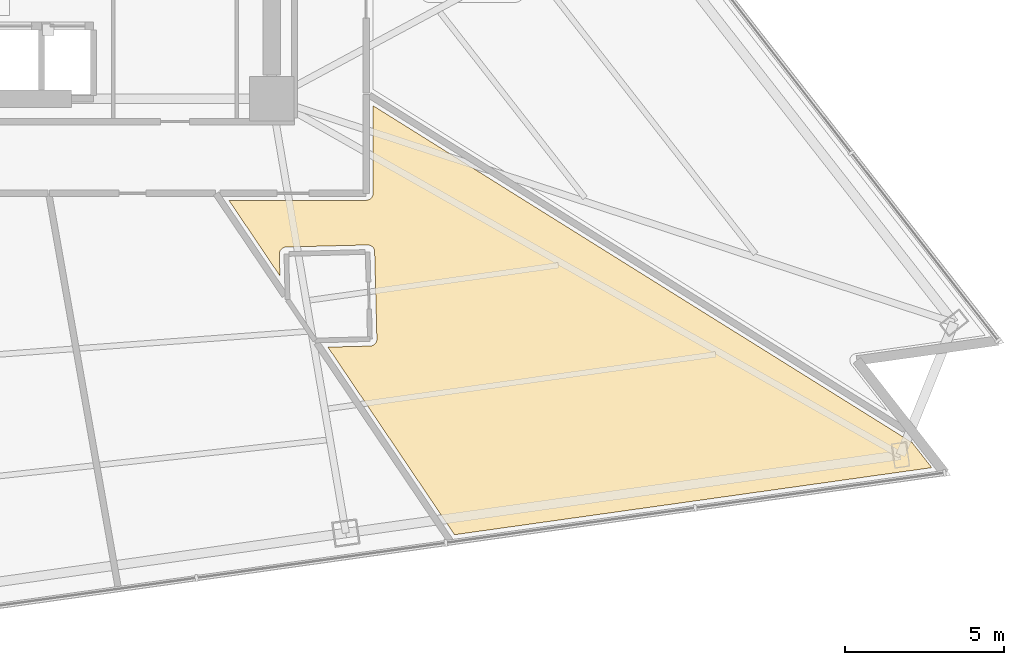
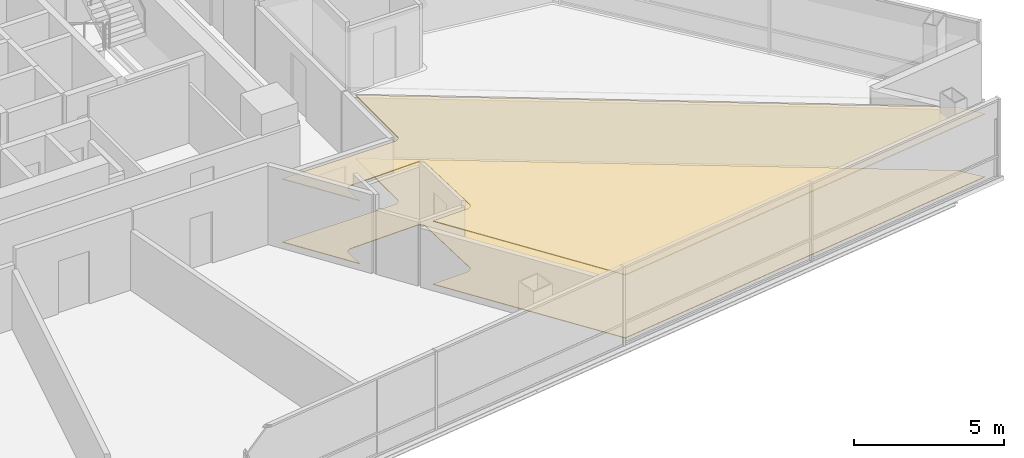
# One storey, part 13 of 15: 2 coverings.
"""IFC4 building model written with IfcOpenShell, lengths in metres."""

from ifc_helpers import new_model, si_unit, direction, frame, origin, place, context, subcontext, project, spatial, polyline, outline, extrude, material, layer, layer_set, type_object, element, save


model = new_model("IFC4")

# Units and contexts
model_context = context("Model", 3, precision=1e-05, world=origin(), true_north=direction((0.0, 1.0)))
body_context = subcontext(model_context, "Body", "Model", "MODEL_VIEW")
ifc_project = project(units=[si_unit("LENGTHUNIT", "METRE"), si_unit("AREAUNIT", "SQUARE_METRE"), si_unit("VOLUMEUNIT", "CUBIC_METRE"), si_unit("PLANEANGLEUNIT", "RADIAN"), si_unit("MASSUNIT", "GRAM", prefix="KILO")], contexts=[model_context])

# Site, building, storey
site_placement = place(None, origin())
site = spatial("IfcSite", under=ifc_project, at=site_placement, CompositionType="ELEMENT")
building_placement = place(site_placement, origin())
building = spatial("IfcBuilding", under=site, at=building_placement, Name="Tharavind Bronze Gate", CompositionType="ELEMENT")
storey_placement = place(building_placement, frame((0.0, 0.0, 77.64990234375)))
storey = spatial("IfcBuildingStorey", under=building, at=storey_placement, Name="L19", CompositionType="ELEMENT", Elevation=77.64990234375)

# Coverings
ifc_material_1 = material(Name="Engineered Oak & Carpet Tile", Category="wood")
ifc_layer_1 = layer(ifc_material_1, 0.02490234375)
ifc_layer_set_1 = layer_set([ifc_layer_1], Name="Engineered Oak & Carpet Tile")
covering_type_1 = type_object("IfcCoveringType", Name="ENGINEERED TIMBER FLOORING", PredefinedType="FLOORING", material=ifc_layer_set_1)
covering_1_placement = place(storey_placement, origin())
element("IfcCovering", 1, at=covering_1_placement, inside=storey, type_object=covering_type_1, Name="L19-RM-13 floor finish", PredefinedType="FLOORING", context=body_context, shape_type="SweptSolid", body=[
    extrude(outline(polyline([(9.160888671875, -13.18798828125), (9.14306640625, -12.5009765625), (9.143798828125, -12.4794921875), (9.146240234375, -12.4580078125), (9.15087890625, -12.43701171875), (9.15771484375, -12.41650390625), (9.16650390625, -12.396728515625), (9.177001953125, -12.3779296875), (9.189453125, -12.360107421875), (9.20361328125, -12.343994140625), (9.21923828125, -12.3291015625), (9.236083984375, -12.315673828125), (9.25439453125, -12.30419921875), (9.273681640625, -12.29443359375), (9.293701171875, -12.28662109375), (9.314697265625, -12.28076171875), (9.3359375, -12.277099609375), (9.357421875, -12.275390625), (11.921875, -12.20947265625), (11.943603515625, -12.2099609375), (11.96484375, -12.212646484375), (11.986083984375, -12.21728515625), (12.006591796875, -12.22412109375), (12.0263671875, -12.232666015625), (12.045166015625, -12.243408203125), (12.062744140625, -12.255859375), (12.0791015625, -12.269775390625), (12.093994140625, -12.285400390625), (12.107421875, -12.302490234375), (12.118896484375, -12.32080078125), (12.128662109375, -12.340087890625), (12.136474609375, -12.360107421875), (12.14208984375, -12.380859375), (12.14599609375, -12.402099609375), (12.1474609375, -12.423583984375), (12.21826171875, -15.1728515625), (12.2177734375, -15.1943359375), (12.215087890625, -15.2158203125), (12.21044921875, -15.23681640625), (12.20361328125, -15.25732421875), (12.195068359375, -15.277099609375), (12.184326171875, -15.2958984375), (12.171875, -15.313720703125), (12.157958984375, -15.330078125), (12.14208984375, -15.344970703125), (12.125244140625, -15.358154296875), (12.10693359375, -15.36962890625), (12.087646484375, -15.37939453125), (12.067626953125, -15.38720703125), (12.046875, -15.39306640625), (12.025390625, -15.396728515625), (12.00390625, -15.3984375), (10.6748046875, -15.4326171875), (14.666015625, -21.349853515625), (29.7197265625, -19.234375), (29.103271484375, -18.4453125), (12.10009765625, -7.8203125), (12.10009765625, -10.579345703125), (12.099609375, -10.590087890625), (12.099609375, -10.5908203125), (12.09765625, -10.6123046875), (12.093505859375, -10.63330078125), (12.087158203125, -10.654052734375), (12.078857421875, -10.674072265625), (12.068603515625, -10.693115234375), (12.056640625, -10.7109375), (12.04296875, -10.727783203125), (12.027587890625, -10.742919921875), (12.010986328125, -10.756591796875), (11.9931640625, -10.768798828125), (11.97412109375, -10.77880859375), (11.9541015625, -10.787109375), (11.933349609375, -10.79345703125), (11.912353515625, -10.797607421875), (11.890869140625, -10.7998046875), (11.89013671875, -10.7998046875), (11.87939453125, -10.800048828125), (7.550048828125, -10.800048828125), (9.160888671875, -13.18798828125)])), origin(), (0.0, 0.0, 1.0), 0.025146484375),
])
ifc_material_2 = material(Name="Acoustic Gypsum Board", Category="gypsum")
ifc_layer_2 = layer(ifc_material_2, 0.030029296875)
ifc_layer_set_2 = layer_set([ifc_layer_2], Name="Acoustic Gypsum Board")
covering_type_2 = type_object("IfcCoveringType", Name="GYPSUM SUSPENDED CEILING", PredefinedType="CEILING", material=ifc_layer_set_2)
covering_2_placement = place(storey_placement, frame((0.0, 0.0, 2.56005859375)))
element("IfcCovering", 2, at=covering_2_placement, inside=storey, type_object=covering_type_2, Name="L19-RM-13 suspended ceiling", PredefinedType="CEILING", context=body_context, shape_type="SweptSolid", body=[
    extrude(outline(polyline([(9.160888671875, -13.18798828125), (9.14306640625, -12.5009765625), (9.143798828125, -12.4794921875), (9.146240234375, -12.4580078125), (9.15087890625, -12.43701171875), (9.15771484375, -12.41650390625), (9.16650390625, -12.396728515625), (9.177001953125, -12.3779296875), (9.189453125, -12.360107421875), (9.20361328125, -12.343994140625), (9.21923828125, -12.3291015625), (9.236083984375, -12.315673828125), (9.25439453125, -12.30419921875), (9.273681640625, -12.29443359375), (9.293701171875, -12.28662109375), (9.314697265625, -12.28076171875), (9.3359375, -12.277099609375), (9.357421875, -12.275390625), (11.921875, -12.20947265625), (11.943603515625, -12.2099609375), (11.96484375, -12.212646484375), (11.986083984375, -12.21728515625), (12.006591796875, -12.22412109375), (12.0263671875, -12.232666015625), (12.045166015625, -12.243408203125), (12.062744140625, -12.255859375), (12.0791015625, -12.269775390625), (12.093994140625, -12.285400390625), (12.107421875, -12.302490234375), (12.118896484375, -12.32080078125), (12.128662109375, -12.340087890625), (12.136474609375, -12.360107421875), (12.14208984375, -12.380859375), (12.14599609375, -12.402099609375), (12.1474609375, -12.423583984375), (12.21826171875, -15.1728515625), (12.2177734375, -15.1943359375), (12.215087890625, -15.2158203125), (12.21044921875, -15.23681640625), (12.20361328125, -15.25732421875), (12.195068359375, -15.277099609375), (12.184326171875, -15.2958984375), (12.171875, -15.313720703125), (12.157958984375, -15.330078125), (12.14208984375, -15.344970703125), (12.125244140625, -15.358154296875), (12.10693359375, -15.36962890625), (12.087646484375, -15.37939453125), (12.067626953125, -15.38720703125), (12.046875, -15.39306640625), (12.025390625, -15.396728515625), (12.00390625, -15.3984375), (10.6748046875, -15.4326171875), (14.666015625, -21.349853515625), (29.7197265625, -19.234375), (29.103271484375, -18.4453125), (12.10009765625, -7.8203125), (12.10009765625, -10.579345703125), (12.099609375, -10.590087890625), (12.099609375, -10.5908203125), (12.09765625, -10.6123046875), (12.093505859375, -10.63330078125), (12.087158203125, -10.654052734375), (12.078857421875, -10.674072265625), (12.068603515625, -10.693115234375), (12.056640625, -10.7109375), (12.04296875, -10.727783203125), (12.027587890625, -10.742919921875), (12.010986328125, -10.756591796875), (11.9931640625, -10.768798828125), (11.97412109375, -10.77880859375), (11.9541015625, -10.787109375), (11.933349609375, -10.79345703125), (11.912353515625, -10.797607421875), (11.890869140625, -10.7998046875), (11.89013671875, -10.7998046875), (11.87939453125, -10.800048828125), (7.550048828125, -10.800048828125), (9.160888671875, -13.18798828125)])), origin(), (0.0, 0.0, 1.0), 0.03515625),
])

save(model, "model.ifc")
